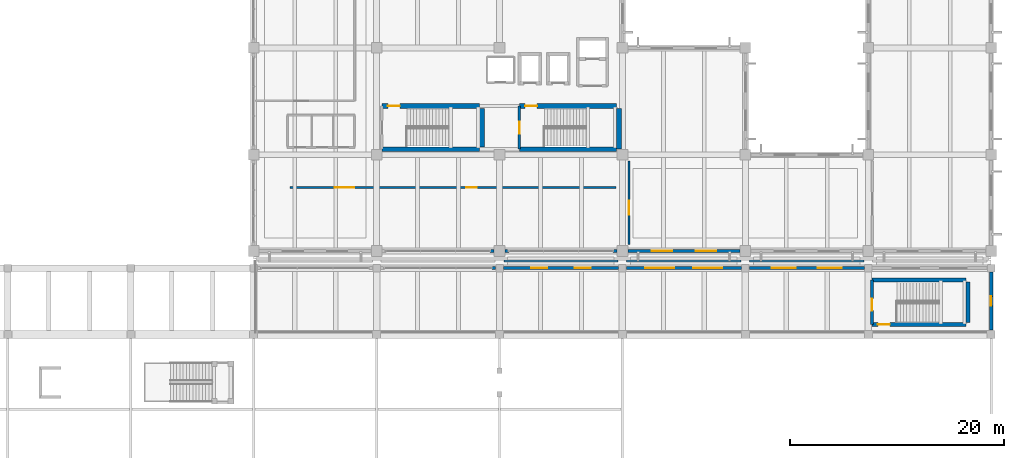
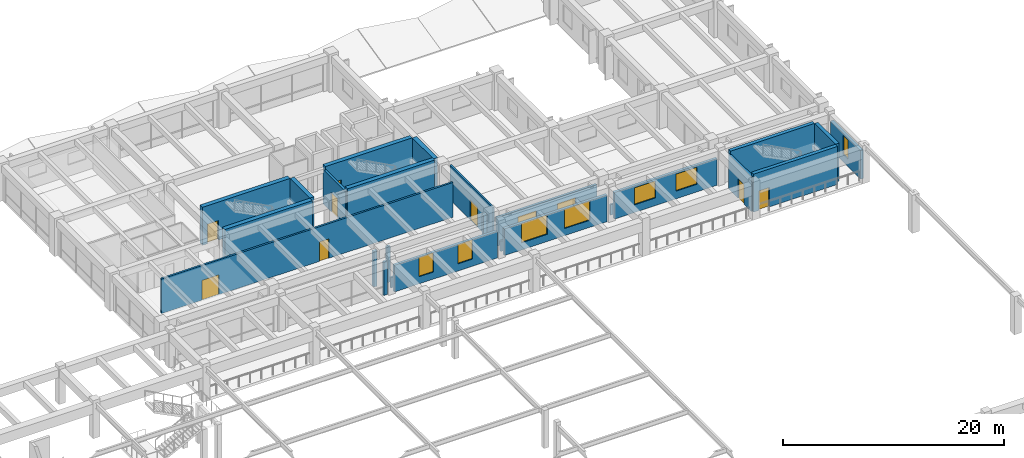
# One storey, part 79 of 98: 25 walls, 9 windows, 8 doors, 17 openings.
"""IFC4 building model written with IfcOpenShell, lengths in metres."""

from ifc_helpers import new_model, si_unit, direction, frame, frame_2d, origin, place, context, subcontext, project, spatial, rectangle, extrude, material, layer, layer_set, type_object, element, fill, save


model = new_model("IFC4")

# Units and contexts
model_context = context("Model", 3, precision=1e-05, world=origin(), true_north=direction((0.0, 1.0)))
body_context = subcontext(model_context, "Body", "Model", "MODEL_VIEW")
ifc_project = project(units=[si_unit("LENGTHUNIT", "METRE"), si_unit("AREAUNIT", "SQUARE_METRE"), si_unit("VOLUMEUNIT", "CUBIC_METRE"), si_unit("PLANEANGLEUNIT", "RADIAN"), si_unit("MASSUNIT", "GRAM", prefix="KILO")], contexts=[model_context])

# Site, building, storey
site_placement = place(None, origin())
site = spatial("IfcSite", under=ifc_project, at=site_placement, CompositionType="ELEMENT")
building_placement = place(site_placement, origin())
building = spatial("IfcBuilding", under=site, at=building_placement, Name="Ologun Quay Terminus", CompositionType="ELEMENT")
storey_placement = place(building_placement, frame((0.0, 0.0, 4.199951171875)))
storey = spatial("IfcBuildingStorey", under=building, at=storey_placement, Name="L01", CompositionType="ELEMENT", Elevation=4.199951171875)

# Wall, openings, doors
ifc_material_1 = material(Name="Concrete C40/50", Category="concrete")
ifc_layer_1 = layer(ifc_material_1, 0.199951171875)
ifc_layer_set_1 = layer_set([ifc_layer_1], Name="Concrete C40/50")
wall_type_1 = type_object("IfcWallType", Name="Corridor Fire-Rated Partition 200", PredefinedType="PARTITIONING", material=ifc_layer_set_1)
wall_1_placement = place(storey_placement, frame((118.39990234375, 91.75, 0.0), z_axis=(0.0, 0.0, 1.0), x_axis=(1.0, 0.0, 0.0)))
wall_1 = element("IfcWall", 1, at=wall_1_placement, inside=storey, type_object=wall_type_1, Name="PW-02 Partition ECor-S", PredefinedType="PARTITIONING", context=body_context, shape_type="SweptSolid", body=[
    extrude(rectangle(XDim=30.5, YDim=0.199951171875, at=frame_2d((15.25, 0.0))), origin(), (0.0, 0.0, 1.0), 3.840087890625),
])
opening_1_placement = place(wall_1_placement, frame((4.199951171875, 0.0, 0.0)))
opening_1 = element("IfcOpeningElement", 2, at=opening_1_placement, cuts=wall_1, Name="Opening ID-185", PredefinedType="OPENING", context=body_context, shape_type="SweptSolid", body=[
    extrude(rectangle(XDim=1.800048828125, YDim=2.199951171875, at=frame_2d((0.89990234375, 1.10009765625))), frame((0.0, 0.10986328125, 0.0), z_axis=(0.0, -1.0, 0.0), x_axis=(1.0, 0.0, 0.0)), (0.0, 0.0, 1.0), 0.219970703125),
])
opening_2_placement = place(wall_1_placement, frame((16.5, 0.0, 0.0)))
opening_2 = element("IfcOpeningElement", 3, at=opening_2_placement, cuts=wall_1, Name="Opening ID-186", PredefinedType="OPENING", context=body_context, shape_type="SweptSolid", body=[
    extrude(rectangle(XDim=0.97998046875, YDim=2.14990234375, at=frame_2d((0.489990234375, 1.074951171875))), frame((0.0, 0.10986328125, 0.0), z_axis=(0.0, -1.0, 0.0), x_axis=(1.0, 0.0, 0.0)), (0.0, 0.0, 1.0), 0.219970703125),
])
ifc_material_2 = material(Name="Steel S355", Category="steel")
door_type_1 = type_object("IfcDoorType", Name="Corridor Compartment Pair 1800x2200", OperationType="DOUBLE_DOOR_SINGLE_SWING", PredefinedType="DOOR", material=ifc_material_2)
door_1_placement = place(opening_1_placement, origin())
door_1 = element("IfcDoor", 4, at=door_1_placement, inside=storey, type_object=door_type_1, Name="FD-03 Door ID-185", OperationType="DOUBLE_DOOR_SINGLE_SWING", OverallHeight=2.199951171875, OverallWidth=1.800048828125, PredefinedType="DOOR", context=body_context, shape_type="SweptSolid", body=[
    extrude(rectangle(XDim=1.800048828125, YDim=2.199951171875, at=frame_2d((0.89990234375, 1.10009765625))), frame((0.0, 0.02490234375, 0.0), z_axis=(0.0, -1.0, 0.0), x_axis=(1.0, 0.0, 0.0)), (0.0, 0.0, 1.0), 0.050048828125),
])
fill(opening_1, door_1)
ifc_material_3 = material(Name="Timber Hardwood", Category="wood")
door_type_2 = type_object("IfcDoorType", Name="Operations Room Acoustic Leaf 980x2150", OperationType="SINGLE_SWING_LEFT", PredefinedType="DOOR", material=ifc_material_3)
door_2_placement = place(opening_2_placement, origin())
door_2 = element("IfcDoor", 5, at=door_2_placement, inside=storey, type_object=door_type_2, Name="ID-01 Door ID-186", OperationType="SINGLE_SWING_LEFT", OverallHeight=2.14990234375, OverallWidth=0.97998046875, PredefinedType="DOOR", context=body_context, shape_type="SweptSolid", body=[
    extrude(rectangle(XDim=0.97998046875, YDim=2.14990234375, at=frame_2d((0.489990234375, 1.074951171875))), frame((0.0, 0.02490234375, 0.0), z_axis=(0.0, -1.0, 0.0), x_axis=(1.0, 0.0, 0.0)), (0.0, 0.0, 1.0), 0.050048828125),
])
fill(opening_2, door_2)

# Wall
ifc_material_4 = material(Name="Concrete C45/55", Category="concrete")
ifc_layer_2 = layer(ifc_material_4, 0.449951171875)
ifc_layer_set_2 = layer_set([ifc_layer_2], Name="Concrete C45/55")
wall_type_2 = type_object("IfcWallType", Name="Coupled Wing Primary Core Shear Wall 450", PredefinedType="SHEAR", material=ifc_layer_set_2)
wall_2_placement = place(storey_placement, frame((127.0, 95.324951171875, 0.0), z_axis=(0.0, 0.0, 1.0), x_axis=(1.0, 0.0, 0.0)))
element("IfcWall", 6, at=wall_2_placement, inside=storey, type_object=wall_type_2, Name="EC1 Core South Shear Wall L01", PredefinedType="SHEAR", context=body_context, shape_type="SweptSolid", body=[
    extrude(rectangle(XDim=9.14990234375, YDim=0.449951171875, at=frame_2d((4.574951171875, 0.0))), origin(), (0.0, 0.0, 1.0), 4.199951171875),
])

# Wall, opening, door
wall_3_placement = place(storey_placement, frame((127.0, 99.375, 0.0), z_axis=(0.0, 0.0, 1.0), x_axis=(1.0, 0.0, 0.0)))
wall_3 = element("IfcWall", 7, at=wall_3_placement, inside=storey, type_object=wall_type_2, Name="EC1 Core North Shear Wall L01", PredefinedType="SHEAR", context=body_context, shape_type="SweptSolid", body=[
    extrude(rectangle(XDim=9.14990234375, YDim=0.449951171875, at=frame_2d((4.574951171875, 0.0))), origin(), (0.0, 0.0, 1.0), 4.199951171875),
])
opening_3_placement = place(wall_3_placement, frame((0.550048828125, 0.0, 0.0)))
opening_3 = element("IfcOpeningElement", 8, at=opening_3_placement, cuts=wall_3, Name="Opening ID-177", PredefinedType="OPENING", context=body_context, shape_type="SweptSolid", body=[
    extrude(rectangle(XDim=1.1298828125, YDim=2.14990234375, at=frame_2d((0.56494140625, 1.074951171875))), frame((0.0, 0.23486328125, 0.0), z_axis=(0.0, -1.0, 0.0), x_axis=(1.0, 0.0, 0.0)), (0.0, 0.0, 1.0), 0.469970703125),
])
ifc_material_5 = material(Name="Steel S355", Category="steel")
door_type_3 = type_object("IfcDoorType", Name="Stairwell Fire Escape Door 1130x2150", OperationType="SINGLE_SWING_LEFT", PredefinedType="DOOR", material=ifc_material_5)
door_3_placement = place(opening_3_placement, frame((0.56494140625, 0.0, 0.0), z_axis=(0.0, 0.0, 1.0), x_axis=(-1.0, 0.0, 0.0)))
door_3 = element("IfcDoor", 9, at=door_3_placement, inside=storey, type_object=door_type_3, Name="FD-01 Door ID-177", OperationType="SINGLE_SWING_LEFT", OverallHeight=2.14990234375, OverallWidth=1.1298828125, PredefinedType="DOOR", context=body_context, shape_type="SweptSolid", body=[
    extrude(rectangle(XDim=1.1298828125, YDim=2.14990234375, at=frame_2d((0.0, 1.074951171875))), frame((0.0, 0.02490234375, 0.0), z_axis=(0.0, -1.0, 0.0), x_axis=(1.0, 0.0, 0.0)), (0.0, 0.0, 1.0), 0.050048828125),
])
fill(opening_3, door_3)

# Walls
wall_4_placement = place(storey_placement, frame((136.375, 95.550048828125, 0.0), z_axis=(0.0, 0.0, 1.0), x_axis=(0.0, 1.0, 0.0)))
element("IfcWall", 10, at=wall_4_placement, inside=storey, type_object=wall_type_2, Name="EC1 Core East Shear Wall L01", PredefinedType="SHEAR", context=body_context, shape_type="SweptSolid", body=[
    extrude(rectangle(XDim=3.599853515625, YDim=0.449951171875, at=frame_2d((1.7998046875, 0.0))), origin(), (0.0, 0.0, 1.0), 4.199951171875),
])
wall_5_placement = place(storey_placement, frame((139.85009765625, 95.324951171875, 0.0), z_axis=(0.0, 0.0, 1.0), x_axis=(1.0, 0.0, 0.0)))
element("IfcWall", 11, at=wall_5_placement, inside=storey, type_object=wall_type_2, Name="EC2 Core South Shear Wall L01", PredefinedType="SHEAR", context=body_context, shape_type="SweptSolid", body=[
    extrude(rectangle(XDim=9.099853515625, YDim=0.449951171875, at=frame_2d((4.5498046875, 0.0))), origin(), (0.0, 0.0, 1.0), 4.199951171875),
])

# Wall, opening, door
wall_6_placement = place(storey_placement, frame((139.85009765625, 99.375, 0.0), z_axis=(0.0, 0.0, 1.0), x_axis=(1.0, 0.0, 0.0)))
wall_6 = element("IfcWall", 12, at=wall_6_placement, inside=storey, type_object=wall_type_2, Name="EC2 Core North Shear Wall L01", PredefinedType="SHEAR", context=body_context, shape_type="SweptSolid", body=[
    extrude(rectangle(XDim=9.099853515625, YDim=0.449951171875, at=frame_2d((4.5498046875, 0.0))), origin(), (0.0, 0.0, 1.0), 4.199951171875),
])
opening_4_placement = place(wall_6_placement, frame((0.550048828125, 0.0, 0.0)))
opening_4 = element("IfcOpeningElement", 13, at=opening_4_placement, cuts=wall_6, Name="Opening ID-179", PredefinedType="OPENING", context=body_context, shape_type="SweptSolid", body=[
    extrude(rectangle(XDim=1.1298828125, YDim=2.14990234375, at=frame_2d((0.56494140625, 1.074951171875))), frame((0.0, 0.23486328125, 0.0), z_axis=(0.0, -1.0, 0.0), x_axis=(1.0, 0.0, 0.0)), (0.0, 0.0, 1.0), 0.469970703125),
])
door_4_placement = place(opening_4_placement, frame((0.56494140625, 0.0, 0.0), z_axis=(0.0, 0.0, 1.0), x_axis=(-1.0, 0.0, 0.0)))
door_4 = element("IfcDoor", 14, at=door_4_placement, inside=storey, type_object=door_type_3, Name="FD-01 Door ID-179", OperationType="SINGLE_SWING_LEFT", OverallHeight=2.14990234375, OverallWidth=1.1298828125, PredefinedType="DOOR", context=body_context, shape_type="SweptSolid", body=[
    extrude(rectangle(XDim=1.1298828125, YDim=2.14990234375, at=frame_2d((0.0, 1.074951171875))), frame((0.0, 0.02490234375, 0.0), z_axis=(0.0, -1.0, 0.0), x_axis=(1.0, 0.0, 0.0)), (0.0, 0.0, 1.0), 0.050048828125),
])
fill(opening_4, door_4)

# Walls
wall_7_placement = place(storey_placement, frame((149.175048828125, 95.320068359375, 0.0), z_axis=(0.0, 0.0, 1.0), x_axis=(0.0, 1.0, 0.0)))
element("IfcWall", 15, at=wall_7_placement, inside=storey, type_object=wall_type_2, Name="EC2 Core East Shear Wall L01", PredefinedType="SHEAR", context=body_context, shape_type="SweptSolid", body=[
    extrude(rectangle(XDim=3.829833984375, YDim=0.449951171875, at=frame_2d((1.9150390625, 0.0))), origin(), (0.0, 0.0, 1.0), 4.199951171875),
])
ifc_material_6 = material(Name="Concrete C40/50", Category="concrete")
ifc_layer_3 = layer(ifc_material_6, 0.280029296875)
ifc_layer_set_3 = layer_set([ifc_layer_3], Name="Concrete C40/50")
wall_type_3 = type_object("IfcWallType", Name="Courtyard Wing Spandrel Concrete Wall 280", PredefinedType="SOLIDWALL", material=ifc_layer_set_3)
wall_8_placement = place(storey_placement, frame((137.280029296875, 84.199951171875, 0.0), z_axis=(0.0, 0.0, 1.0), x_axis=(1.0, 0.0, 0.0)))
element("IfcWall", 16, at=wall_8_placement, inside=storey, type_object=wall_type_3, Name="Curtain Wall Jamb Pier CW-L01-091-J2", PredefinedType="SOLIDWALL", context=body_context, shape_type="SweptSolid", body=[
    extrude(rectangle(XDim=0.349853515625, YDim=0.280029296875, at=frame_2d((0.1748046875, 0.0))), origin(), (0.0, 0.0, 1.0), 3.650146484375),
])

# Wall, openings, windows
wall_9_placement = place(storey_placement, frame((161.3701171875, 84.199951171875, 0.0), z_axis=(0.0, 0.0, 1.0), x_axis=(1.0, 0.0, 0.0)))
wall_9 = element("IfcWall", 17, at=wall_9_placement, inside=storey, type_object=wall_type_3, Name="EW-02 Facade Wall WEW-NGW-L01-15", PredefinedType="SOLIDWALL", context=body_context, shape_type="SweptSolid", body=[
    extrude(rectangle(XDim=10.759765625, YDim=0.280029296875, at=frame_2d((5.3798828125, 0.0))), origin(), (0.0, 0.0, 1.0), 2.949951171875),
])
opening_5_placement = place(wall_9_placement, frame((2.09326171875, 0.0, 0.85009765625)))
opening_5 = element("IfcOpeningElement", 18, at=opening_5_placement, cuts=wall_9, Name="Opening WN-126", PredefinedType="OPENING", context=body_context, shape_type="SweptSolid", body=[
    extrude(rectangle(XDim=2.239990234375, YDim=1.8798828125, at=frame_2d((1.1201171875, 0.93994140625))), frame((0.0, 0.14990234375, 0.0), z_axis=(0.0, -1.0, 0.0), x_axis=(1.0, 0.0, 0.0)), (0.0, 0.0, 1.0), 0.300048828125),
])
opening_6_placement = place(wall_9_placement, frame((6.4267578125, 0.0, 0.85009765625)))
opening_6 = element("IfcOpeningElement", 19, at=opening_6_placement, cuts=wall_9, Name="Opening WN-127", PredefinedType="OPENING", context=body_context, shape_type="SweptSolid", body=[
    extrude(rectangle(XDim=2.239990234375, YDim=1.8798828125, at=frame_2d((1.1201171875, 0.93994140625))), frame((0.0, 0.14990234375, 0.0), z_axis=(0.0, -1.0, 0.0), x_axis=(1.0, 0.0, 0.0)), (0.0, 0.0, 1.0), 0.300048828125),
])
ifc_material_7 = material(Name="Glass", Category="glass")
window_type_1 = type_object("IfcWindowType", Name="Promenade Mezzanine Window 2240x1880", PartitioningType="SINGLE_PANEL", PredefinedType="WINDOW", material=ifc_material_7)
window_1_placement = place(opening_5_placement, origin())
window_1 = element("IfcWindow", 20, at=window_1_placement, inside=storey, type_object=window_type_1, Name="W-41 Window WN-126", OverallHeight=1.8798828125, OverallWidth=2.239990234375, PartitioningType="SINGLE_PANEL", PredefinedType="WINDOW", context=body_context, shape_type="SweptSolid", body=[
    extrude(rectangle(XDim=2.239990234375, YDim=1.8798828125, at=frame_2d((1.1201171875, 0.93994140625))), frame((0.0, 0.030029296875, 0.0), z_axis=(0.0, -1.0, 0.0), x_axis=(1.0, 0.0, 0.0)), (0.0, 0.0, 1.0), 0.06005859375),
])
fill(opening_5, window_1)
window_2_placement = place(opening_6_placement, origin())
window_2 = element("IfcWindow", 21, at=window_2_placement, inside=storey, type_object=window_type_1, Name="W-41 Window WN-127", OverallHeight=1.8798828125, OverallWidth=2.239990234375, PartitioningType="SINGLE_PANEL", PredefinedType="WINDOW", context=body_context, shape_type="SweptSolid", body=[
    extrude(rectangle(XDim=2.239990234375, YDim=1.8798828125, at=frame_2d((1.1201171875, 0.93994140625))), frame((0.0, 0.030029296875, 0.0), z_axis=(0.0, -1.0, 0.0), x_axis=(1.0, 0.0, 0.0)), (0.0, 0.0, 1.0), 0.06005859375),
])
fill(opening_6, window_2)

wall_10_placement = place(storey_placement, frame((138.3701171875, 84.199951171875, 0.0), z_axis=(0.0, 0.0, 1.0), x_axis=(1.0, 0.0, 0.0)))
wall_10 = element("IfcWall", 22, at=wall_10_placement, inside=storey, type_object=wall_type_3, Name="EW-02 Facade Wall WEW-NGW-L01-13", PredefinedType="SOLIDWALL", context=body_context, shape_type="SweptSolid", body=[
    extrude(rectangle(XDim=10.759765625, YDim=0.280029296875, at=frame_2d((5.3798828125, 0.0))), origin(), (0.0, 0.0, 1.0), 2.949951171875),
])
opening_7_placement = place(wall_10_placement, frame((2.586669921875, 0.0, 0.7900390625)))
opening_7 = element("IfcOpeningElement", 23, at=opening_7_placement, cuts=wall_10, Name="Opening WN-140", PredefinedType="OPENING", context=body_context, shape_type="SweptSolid", body=[
    extrude(rectangle(XDim=1.5, YDim=2.14990234375, at=frame_2d((0.75, 1.074951171875))), frame((0.0, 0.14990234375, 0.0), z_axis=(0.0, -1.0, 0.0), x_axis=(1.0, 0.0, 0.0)), (0.0, 0.0, 1.0), 0.300048828125),
])
opening_8_placement = place(wall_10_placement, frame((6.67333984375, 0.0, 0.7900390625)))
opening_8 = element("IfcOpeningElement", 24, at=opening_8_placement, cuts=wall_10, Name="Opening WN-141", PredefinedType="OPENING", context=body_context, shape_type="SweptSolid", body=[
    extrude(rectangle(XDim=1.5, YDim=2.14990234375, at=frame_2d((0.75, 1.074951171875))), frame((0.0, 0.14990234375, 0.0), z_axis=(0.0, -1.0, 0.0), x_axis=(1.0, 0.0, 0.0)), (0.0, 0.0, 1.0), 0.300048828125),
])
ifc_material_8 = material(Name="Glass", Category="glass")
window_type_2 = type_object("IfcWindowType", Name="Community Hall Tall Window 1500x2150", PartitioningType="SINGLE_PANEL", PredefinedType="WINDOW", material=ifc_material_8)
window_3_placement = place(opening_7_placement, origin())
window_3 = element("IfcWindow", 25, at=window_3_placement, inside=storey, type_object=window_type_2, Name="W-14 Window WN-140", OverallHeight=2.14990234375, OverallWidth=1.5, PartitioningType="SINGLE_PANEL", PredefinedType="WINDOW", context=body_context, shape_type="SweptSolid", body=[
    extrude(rectangle(XDim=1.5, YDim=2.14990234375, at=frame_2d((0.75, 1.074951171875))), frame((0.0, 0.030029296875, 0.0), z_axis=(0.0, -1.0, 0.0), x_axis=(1.0, 0.0, 0.0)), (0.0, 0.0, 1.0), 0.06005859375),
])
fill(opening_7, window_3)
window_4_placement = place(opening_8_placement, origin())
window_4 = element("IfcWindow", 26, at=window_4_placement, inside=storey, type_object=window_type_2, Name="W-14 Window WN-141", OverallHeight=2.14990234375, OverallWidth=1.5, PartitioningType="SINGLE_PANEL", PredefinedType="WINDOW", context=body_context, shape_type="SweptSolid", body=[
    extrude(rectangle(XDim=1.5, YDim=2.14990234375, at=frame_2d((0.75, 1.074951171875))), frame((0.0, 0.030029296875, 0.0), z_axis=(0.0, -1.0, 0.0), x_axis=(1.0, 0.0, 0.0)), (0.0, 0.0, 1.0), 0.06005859375),
])
fill(opening_8, window_4)

wall_11_placement = place(storey_placement, frame((149.8701171875, 84.199951171875, 0.0), z_axis=(0.0, 0.0, 1.0), x_axis=(1.0, 0.0, 0.0)))
wall_11 = element("IfcWall", 27, at=wall_11_placement, inside=storey, type_object=wall_type_3, Name="EW-02 Facade Wall WEW-NGW-L01-14", PredefinedType="SOLIDWALL", context=body_context, shape_type="SweptSolid", body=[
    extrude(rectangle(XDim=10.759765625, YDim=0.280029296875, at=frame_2d((5.3798828125, 0.0))), origin(), (0.0, 0.0, 1.0), 2.949951171875),
])
opening_9_placement = place(wall_11_placement, frame((1.78662109375, 0.0, 0.7900390625)))
opening_9 = element("IfcOpeningElement", 28, at=opening_9_placement, cuts=wall_11, Name="Opening WN-142", PredefinedType="OPENING", context=body_context, shape_type="SweptSolid", body=[
    extrude(rectangle(XDim=2.699951171875, YDim=2.14990234375, at=frame_2d((1.35009765625, 1.074951171875))), frame((0.0, 0.14990234375, 0.0), z_axis=(0.0, -1.0, 0.0), x_axis=(1.0, 0.0, 0.0)), (0.0, 0.0, 1.0), 0.300048828125),
])
opening_10_placement = place(wall_11_placement, frame((6.273193359375, 0.0, 0.7900390625)))
opening_10 = element("IfcOpeningElement", 29, at=opening_10_placement, cuts=wall_11, Name="Opening WN-143", PredefinedType="OPENING", context=body_context, shape_type="SweptSolid", body=[
    extrude(rectangle(XDim=2.699951171875, YDim=2.14990234375, at=frame_2d((1.35009765625, 1.074951171875))), frame((0.0, 0.14990234375, 0.0), z_axis=(0.0, -1.0, 0.0), x_axis=(1.0, 0.0, 0.0)), (0.0, 0.0, 1.0), 0.300048828125),
])
ifc_material_9 = material(Name="Glass", Category="glass")
window_type_3 = type_object("IfcWindowType", Name="Lagoon Restaurant Panorama Window 2700x2150", PartitioningType="SINGLE_PANEL", PredefinedType="WINDOW", material=ifc_material_9)
window_5_placement = place(opening_9_placement, origin())
window_5 = element("IfcWindow", 30, at=window_5_placement, inside=storey, type_object=window_type_3, Name="W-15 Window WN-142", OverallHeight=2.14990234375, OverallWidth=2.699951171875, PartitioningType="SINGLE_PANEL", PredefinedType="WINDOW", context=body_context, shape_type="SweptSolid", body=[
    extrude(rectangle(XDim=2.699951171875, YDim=2.14990234375, at=frame_2d((1.35009765625, 1.074951171875))), frame((0.0, 0.030029296875, 0.0), z_axis=(0.0, -1.0, 0.0), x_axis=(1.0, 0.0, 0.0)), (0.0, 0.0, 1.0), 0.06005859375),
])
fill(opening_9, window_5)
window_6_placement = place(opening_10_placement, origin())
window_6 = element("IfcWindow", 31, at=window_6_placement, inside=storey, type_object=window_type_3, Name="W-15 Window WN-143", OverallHeight=2.14990234375, OverallWidth=2.699951171875, PartitioningType="SINGLE_PANEL", PredefinedType="WINDOW", context=body_context, shape_type="SweptSolid", body=[
    extrude(rectangle(XDim=2.699951171875, YDim=2.14990234375, at=frame_2d((1.35009765625, 1.074951171875))), frame((0.0, 0.030029296875, 0.0), z_axis=(0.0, -1.0, 0.0), x_axis=(1.0, 0.0, 0.0)), (0.0, 0.0, 1.0), 0.06005859375),
])
fill(opening_10, window_6)

# Walls
for number, where, z_axis, x_axis, name in (
    (32, (137.1298828125, 85.800048828125, 0.0), (0.0, 0.0, 1.0), (1.0, 0.0, 0.0), "Curtain Wall Jamb Pier CW-L01-124-J2"),
    (33, (138.52001953125, 85.800048828125, 0.0), (0.0, 0.0, 1.0), (1.0, 0.0, 0.0), "Curtain Wall Jamb Pier CW-L01-125-J1"),
    (34, (148.6298828125, 85.800048828125, 0.0), (0.0, 0.0, 1.0), (1.0, 0.0, 0.0), "Curtain Wall Jamb Pier CW-L01-125-J2"),
):
    element("IfcWall", number, at=place(storey_placement, frame(where, z_axis=z_axis, x_axis=x_axis)), inside=storey, type_object=wall_type_3, Name=name, PredefinedType="SOLIDWALL", context=body_context, shape_type="SweptSolid", body=[
        extrude(rectangle(XDim=0.35009765625, YDim=0.280029296875, at=frame_2d((0.175048828125, 0.0))), origin(), (0.0, 0.0, 1.0), 3.929931640625),
    ])

# Wall, openings, windows
wall_12_placement = place(storey_placement, frame((150.02001953125, 85.800048828125, 0.0), z_axis=(0.0, 0.0, 1.0), x_axis=(1.0, 0.0, 0.0)))
wall_12 = element("IfcWall", 35, at=wall_12_placement, inside=storey, type_object=wall_type_3, Name="EW-02 Facade Wall WEW-EW-L01-4", PredefinedType="SOLIDWALL", context=body_context, shape_type="SweptSolid", body=[
    extrude(rectangle(XDim=10.4599609375, YDim=0.280029296875, at=frame_2d((5.22998046875, 0.0))), origin(), (0.0, 0.0, 1.0), 3.150146484375),
])
opening_11_placement = place(wall_12_placement, frame((2.219970703125, 0.0, 1.25)))
opening_11 = element("IfcOpeningElement", 36, at=opening_11_placement, cuts=wall_12, Name="Opening WN-358", PredefinedType="OPENING", context=body_context, shape_type="SweptSolid", body=[
    extrude(rectangle(XDim=1.89990234375, YDim=1.25, at=frame_2d((0.949951171875, 0.625))), frame((0.0, 0.14990234375, 0.0), z_axis=(0.0, -1.0, 0.0), x_axis=(1.0, 0.0, 0.0)), (0.0, 0.0, 1.0), 0.300048828125),
])
opening_12_placement = place(wall_12_placement, frame((6.340087890625, 0.0, 1.25)))
opening_12 = element("IfcOpeningElement", 37, at=opening_12_placement, cuts=wall_12, Name="Opening WN-359", PredefinedType="OPENING", context=body_context, shape_type="SweptSolid", body=[
    extrude(rectangle(XDim=1.89990234375, YDim=1.25, at=frame_2d((0.949951171875, 0.625))), frame((0.0, 0.14990234375, 0.0), z_axis=(0.0, -1.0, 0.0), x_axis=(1.0, 0.0, 0.0)), (0.0, 0.0, 1.0), 0.300048828125),
])
ifc_material_10 = material(Name="Glass", Category="glass")
window_type_4 = type_object("IfcWindowType", Name="Signalling Equipment High Window 1900x1250", PartitioningType="SINGLE_PANEL", PredefinedType="WINDOW", material=ifc_material_10)
window_7_placement = place(opening_11_placement, origin())
window_7 = element("IfcWindow", 38, at=window_7_placement, inside=storey, type_object=window_type_4, Name="W-18 Window WN-358", OverallHeight=1.25, OverallWidth=1.89990234375, PartitioningType="SINGLE_PANEL", PredefinedType="WINDOW", context=body_context, shape_type="SweptSolid", body=[
    extrude(rectangle(XDim=1.89990234375, YDim=1.25, at=frame_2d((0.949951171875, 0.625))), frame((0.0, 0.030029296875, 0.0), z_axis=(0.0, -1.0, 0.0), x_axis=(1.0, 0.0, 0.0)), (0.0, 0.0, 1.0), 0.06005859375),
])
fill(opening_11, window_7)
window_8_placement = place(opening_12_placement, origin())
window_8 = element("IfcWindow", 39, at=window_8_placement, inside=storey, type_object=window_type_4, Name="W-18 Window WN-359", OverallHeight=1.25, OverallWidth=1.89990234375, PartitioningType="SINGLE_PANEL", PredefinedType="WINDOW", context=body_context, shape_type="SweptSolid", body=[
    extrude(rectangle(XDim=1.89990234375, YDim=1.25, at=frame_2d((0.949951171875, 0.625))), frame((0.0, 0.030029296875, 0.0), z_axis=(0.0, -1.0, 0.0), x_axis=(1.0, 0.0, 0.0)), (0.0, 0.0, 1.0), 0.06005859375),
])
fill(opening_12, window_8)

# Wall, opening, door
ifc_material_11 = material(Name="Concrete C40/50", Category="concrete")
ifc_layer_4 = layer(ifc_material_11, 0.239990234375)
ifc_layer_set_4 = layer_set([ifc_layer_4], Name="Concrete C40/50")
wall_type_4 = type_object("IfcWallType", Name="Fire Compartment Blockwork Wall 240", PredefinedType="SOLIDWALL", material=ifc_layer_set_4)
wall_13_placement = place(storey_placement, frame((139.85009765625, 95.330078125, 0.0), z_axis=(0.0, 0.0, 1.0), x_axis=(0.0, 1.0, 0.0)))
wall_13 = element("IfcWall", 40, at=wall_13_placement, inside=storey, type_object=wall_type_4, Name="PW-01 Partition EStair2-W", PredefinedType="SOLIDWALL", context=body_context, shape_type="SweptSolid", body=[
    extrude(rectangle(XDim=4.0400390625, YDim=0.239990234375, at=frame_2d((2.02001953125, 0.0))), origin(), (0.0, 0.0, 1.0), 3.840087890625),
])
opening_13_placement = place(wall_13_placement, frame((1.449951171875, 0.0, 0.0)))
opening_13 = element("IfcOpeningElement", 41, at=opening_13_placement, cuts=wall_13, Name="Opening ID-178", PredefinedType="OPENING", context=body_context, shape_type="SweptSolid", body=[
    extrude(rectangle(XDim=1.1298828125, YDim=2.14990234375, at=frame_2d((0.56494140625, 1.074951171875))), frame((0.0, 0.1298828125, 0.0), z_axis=(0.0, -1.0, 0.0), x_axis=(1.0, 0.0, 0.0)), (0.0, 0.0, 1.0), 0.260009765625),
])
door_5_placement = place(opening_13_placement, frame((0.56494140625, 0.0, 0.0), z_axis=(0.0, 0.0, 1.0), x_axis=(-1.0, 0.0, 0.0)))
door_5 = element("IfcDoor", 42, at=door_5_placement, inside=storey, type_object=door_type_3, Name="FD-01 Door ID-178", OperationType="SINGLE_SWING_LEFT", OverallHeight=2.14990234375, OverallWidth=1.1298828125, PredefinedType="DOOR", context=body_context, shape_type="SweptSolid", body=[
    extrude(rectangle(XDim=1.1298828125, YDim=2.14990234375, at=frame_2d((0.0, 1.074951171875))), frame((0.0, 0.02490234375, 0.0), z_axis=(0.0, -1.0, 0.0), x_axis=(1.0, 0.0, 0.0)), (0.0, 0.0, 1.0), 0.050048828125),
])
fill(opening_13, door_5)

wall_14_placement = place(storey_placement, frame((172.85009765625, 78.919921875, 0.0), z_axis=(0.0, 0.0, 1.0), x_axis=(0.0, 1.0, 0.0)))
wall_14 = element("IfcWall", 43, at=wall_14_placement, inside=storey, type_object=wall_type_4, Name="PW-01 Partition ST-NG2-W", PredefinedType="SOLIDWALL", context=body_context, shape_type="SweptSolid", body=[
    extrude(rectangle(XDim=4.16015625, YDim=0.239990234375, at=frame_2d((2.080078125, 0.0))), origin(), (0.0, 0.0, 1.0), 3.840087890625),
])
opening_14_placement = place(wall_14_placement, frame((1.300048828125, 0.0, 0.0)))
opening_14 = element("IfcOpeningElement", 44, at=opening_14_placement, cuts=wall_14, Name="Opening ID-281", PredefinedType="OPENING", context=body_context, shape_type="SweptSolid", body=[
    extrude(rectangle(XDim=1.1298828125, YDim=2.14990234375, at=frame_2d((0.56494140625, 1.074951171875))), frame((0.0, 0.1298828125, 0.0), z_axis=(0.0, -1.0, 0.0), x_axis=(1.0, 0.0, 0.0)), (0.0, 0.0, 1.0), 0.260009765625),
])
door_6_placement = place(opening_14_placement, frame((0.56494140625, 0.0, 0.0), z_axis=(0.0, 0.0, 1.0), x_axis=(-1.0, 0.0, 0.0)))
door_6 = element("IfcDoor", 45, at=door_6_placement, inside=storey, type_object=door_type_3, Name="FD-01 Door ID-281", OperationType="SINGLE_SWING_LEFT", OverallHeight=2.14990234375, OverallWidth=1.1298828125, PredefinedType="DOOR", context=body_context, shape_type="SweptSolid", body=[
    extrude(rectangle(XDim=1.1298828125, YDim=2.14990234375, at=frame_2d((0.0, 1.074951171875))), frame((0.0, 0.02490234375, 0.0), z_axis=(0.0, -1.0, 0.0), x_axis=(1.0, 0.0, 0.0)), (0.0, 0.0, 1.0), 0.050048828125),
])
fill(opening_14, door_6)

# Walls
ifc_material_12 = material(Name="Concrete C40/50", Category="concrete")
ifc_layer_5 = layer(ifc_material_12, 0.18994140625)
ifc_layer_set_5 = layer_set([ifc_layer_5], Name="Concrete C40/50")
wall_type_5 = type_object("IfcWallType", Name="Movement Joint Weathering Upstand 190", PredefinedType="PARAPET", material=ifc_layer_set_5)
for number, where, z_axis, x_axis, name in (
    (46, (138.39990234375, 84.860107421875, 0.0), (0.0, 0.0, 1.0), (1.0, 0.0, 0.0), "EW-07 Movement Joint Upstand L01-13"),
    (47, (149.89990234375, 84.860107421875, 0.0), (0.0, 0.0, 1.0), (1.0, 0.0, 0.0), "EW-07 Movement Joint Upstand L01-14"),
    (48, (161.39990234375, 84.860107421875, 0.0), (0.0, 0.0, 1.0), (1.0, 0.0, 0.0), "EW-07 Movement Joint Upstand L01-15"),
):
    element("IfcWall", number, at=place(storey_placement, frame(where, z_axis=z_axis, x_axis=x_axis)), inside=storey, type_object=wall_type_5, Name=name, PredefinedType="PARAPET", context=body_context, shape_type="SweptSolid", body=[
        extrude(rectangle(XDim=10.7001953125, YDim=0.18994140625, at=frame_2d((5.35009765625, 0.0))), origin(), (0.0, 0.0, 1.0), 1.150146484375),
    ])

# Wall, opening, door
ifc_material_13 = material(Name="Gypsum Acoustic Stud")
ifc_layer_6 = layer(ifc_material_13, 0.175048828125)
ifc_layer_set_6 = layer_set([ifc_layer_6], Name="Gypsum Acoustic Stud")
wall_type_6 = type_object("IfcWallType", Name="Operations & Control Acoustic Partition 175", PredefinedType="PARTITIONING", material=ifc_layer_set_6)
wall_15_placement = place(storey_placement, frame((150.10009765625, 86.39990234375, 0.0), z_axis=(0.0, 0.0, 1.0), x_axis=(0.0, 1.0, 0.0)))
wall_15 = element("IfcWall", 49, at=wall_15_placement, inside=storey, type_object=wall_type_6, Name="PW-03 Partition L01-Telecoms-W", PredefinedType="PARTITIONING", context=body_context, shape_type="SweptSolid", body=[
    extrude(rectangle(XDim=7.800048828125, YDim=0.175048828125, at=frame_2d((3.89990234375, 0.0))), origin(), (0.0, 0.0, 1.0), 3.840087890625),
])
opening_15_placement = place(wall_15_placement, frame((2.800048828125, 0.0, 0.0)))
opening_15 = element("IfcOpeningElement", 50, at=opening_15_placement, cuts=wall_15, Name="Opening ID-311", PredefinedType="OPENING", context=body_context, shape_type="SweptSolid", body=[
    extrude(rectangle(XDim=1.300048828125, YDim=2.199951171875, at=frame_2d((0.64990234375, 1.10009765625))), frame((0.0, 0.09765625, 0.0), z_axis=(0.0, -1.0, 0.0), x_axis=(1.0, 0.0, 0.0)), (0.0, 0.0, 1.0), 0.195068359375),
])
ifc_material_14 = material(Name="Steel S355", Category="steel")
door_type_4 = type_object("IfcDoorType", Name="Traffic Control Security Door 1300x2200", OperationType="SINGLE_SWING_LEFT", PredefinedType="DOOR", material=ifc_material_14)
door_7_placement = place(opening_15_placement, origin())
door_7 = element("IfcDoor", 51, at=door_7_placement, inside=storey, type_object=door_type_4, Name="ID-09 Door ID-311", OperationType="SINGLE_SWING_LEFT", OverallHeight=2.199951171875, OverallWidth=1.300048828125, PredefinedType="DOOR", context=body_context, shape_type="SweptSolid", body=[
    extrude(rectangle(XDim=1.300048828125, YDim=2.199951171875, at=frame_2d((0.64990234375, 1.10009765625))), frame((0.0, 0.02490234375, 0.0), z_axis=(0.0, -1.0, 0.0), x_axis=(1.0, 0.0, 0.0)), (0.0, 0.0, 1.0), 0.050048828125),
])
fill(opening_15, door_7)

ifc_material_15 = material(Name="Concrete C40/50", Category="concrete")
ifc_layer_7 = layer(ifc_material_15, 0.3798828125)
ifc_layer_set_7 = layer_set([ifc_layer_7], Name="Concrete C40/50")
wall_type_7 = type_object("IfcWallType", Name="Platform Spine Shear Wall 380", PredefinedType="SHEAR", material=ifc_layer_set_7)
wall_16_placement = place(storey_placement, frame((172.85009765625, 78.909912109375, 0.0), z_axis=(0.0, 0.0, 1.0), x_axis=(1.0, 0.0, 0.0)))
wall_16 = element("IfcWall", 52, at=wall_16_placement, inside=storey, type_object=wall_type_7, Name="Station Core 6 S Shear Wall L01", PredefinedType="SHEAR", context=body_context, shape_type="SweptSolid", body=[
    extrude(rectangle(XDim=8.7998046875, YDim=0.3798828125, at=frame_2d((4.39990234375, 0.0))), origin(), (0.0, 0.0, 1.0), 4.199951171875),
])
opening_16_placement = place(wall_16_placement, frame((0.550048828125, 0.0, 0.0)))
opening_16 = element("IfcOpeningElement", 53, at=opening_16_placement, cuts=wall_16, Name="Opening ID-282", PredefinedType="OPENING", context=body_context, shape_type="SweptSolid", body=[
    extrude(rectangle(XDim=1.1298828125, YDim=2.14990234375, at=frame_2d((0.56494140625, 1.074951171875))), frame((0.0, 0.199951171875, 0.0), z_axis=(0.0, -1.0, 0.0), x_axis=(1.0, 0.0, 0.0)), (0.0, 0.0, 1.0), 0.39990234375),
])
door_8_placement = place(opening_16_placement, origin())
door_8 = element("IfcDoor", 54, at=door_8_placement, inside=storey, type_object=door_type_3, Name="FD-01 Door ID-282", OperationType="SINGLE_SWING_LEFT", OverallHeight=2.14990234375, OverallWidth=1.1298828125, PredefinedType="DOOR", context=body_context, shape_type="SweptSolid", body=[
    extrude(rectangle(XDim=1.1298828125, YDim=2.14990234375, at=frame_2d((0.56494140625, 1.074951171875))), frame((0.0, 0.02490234375, 0.0), z_axis=(0.0, -1.0, 0.0), x_axis=(1.0, 0.0, 0.0)), (0.0, 0.0, 1.0), 0.050048828125),
])
fill(opening_16, door_8)

# Walls
wall_17_placement = place(storey_placement, frame((172.85009765625, 83.090087890625, 0.0), z_axis=(0.0, 0.0, 1.0), x_axis=(1.0, 0.0, 0.0)))
element("IfcWall", 55, at=wall_17_placement, inside=storey, type_object=wall_type_7, Name="Station Core 6 N Shear Wall L01", PredefinedType="SHEAR", context=body_context, shape_type="SweptSolid", body=[
    extrude(rectangle(XDim=8.7998046875, YDim=0.3798828125, at=frame_2d((4.39990234375, 0.0))), origin(), (0.0, 0.0, 1.0), 4.199951171875),
])
wall_18_placement = place(storey_placement, frame((181.840087890625, 79.10009765625, 0.0), z_axis=(0.0, 0.0, 1.0), x_axis=(0.0, 1.0, 0.0)))
element("IfcWall", 56, at=wall_18_placement, inside=storey, type_object=wall_type_7, Name="Station Core 6 E Shear Wall L01", PredefinedType="SHEAR", context=body_context, shape_type="SweptSolid", body=[
    extrude(rectangle(XDim=3.7998046875, YDim=0.3798828125, at=frame_2d((1.89990234375, 0.0))), origin(), (0.0, 0.0, 1.0), 4.199951171875),
])

# Wall, opening, window
ifc_material_16 = material(Name="Concrete C40/50", Category="concrete")
ifc_layer_8 = layer(ifc_material_16, 0.320068359375)
ifc_layer_set_8 = layer_set([ifc_layer_8], Name="Concrete C40/50")
wall_type_8 = type_object("IfcWallType", Name="Podium Sculpted Concrete Facade Wall 320", PredefinedType="SOLIDWALL", material=ifc_layer_set_8)
wall_19_placement = place(storey_placement, frame((184.0, 78.39501953125, 0.0), z_axis=(0.0, 0.0, 1.0), x_axis=(0.0, 1.0, 0.0)))
wall_19 = element("IfcWall", 57, at=wall_19_placement, inside=storey, type_object=wall_type_8, Name="EW-01 Facade Wall WEW-NGAL-L01-E", PredefinedType="SOLIDWALL", context=body_context, shape_type="SweptSolid", body=[
    extrude(rectangle(XDim=5.43505859375, YDim=0.320068359375, at=frame_2d((2.717529296875, 0.0))), origin(), (0.0, 0.0, 1.0), 3.150146484375),
])
opening_17_placement = place(wall_19_placement, frame((2.267578125, 0.0, 0.840087890625)))
opening_17 = element("IfcOpeningElement", 58, at=opening_17_placement, cuts=wall_19, Name="Opening WN-105", PredefinedType="OPENING", context=body_context, shape_type="SweptSolid", body=[
    extrude(rectangle(XDim=0.89990234375, YDim=2.10009765625, at=frame_2d((0.449951171875, 1.050048828125))), frame((0.0, 0.169921875, 0.0), z_axis=(0.0, -1.0, 0.0), x_axis=(1.0, 0.0, 0.0)), (0.0, 0.0, 1.0), 0.340087890625),
])
ifc_material_17 = material(Name="Glass", Category="glass")
window_type_5 = type_object("IfcWindowType", Name="Stairwell Daylight Slot Window 900x2100", PartitioningType="SINGLE_PANEL", PredefinedType="WINDOW", material=ifc_material_17)
window_9_placement = place(opening_17_placement, origin())
window_9 = element("IfcWindow", 59, at=window_9_placement, inside=storey, type_object=window_type_5, Name="W-29 Window WN-105", OverallHeight=2.10009765625, OverallWidth=0.89990234375, PartitioningType="SINGLE_PANEL", PredefinedType="WINDOW", context=body_context, shape_type="SweptSolid", body=[
    extrude(rectangle(XDim=0.89990234375, YDim=2.10009765625, at=frame_2d((0.449951171875, 1.050048828125))), frame((0.0, 0.030029296875, 0.0), z_axis=(0.0, -1.0, 0.0), x_axis=(1.0, 0.0, 0.0)), (0.0, 0.0, 1.0), 0.06005859375),
])
fill(opening_17, window_9)

save(model, "model.ifc")
